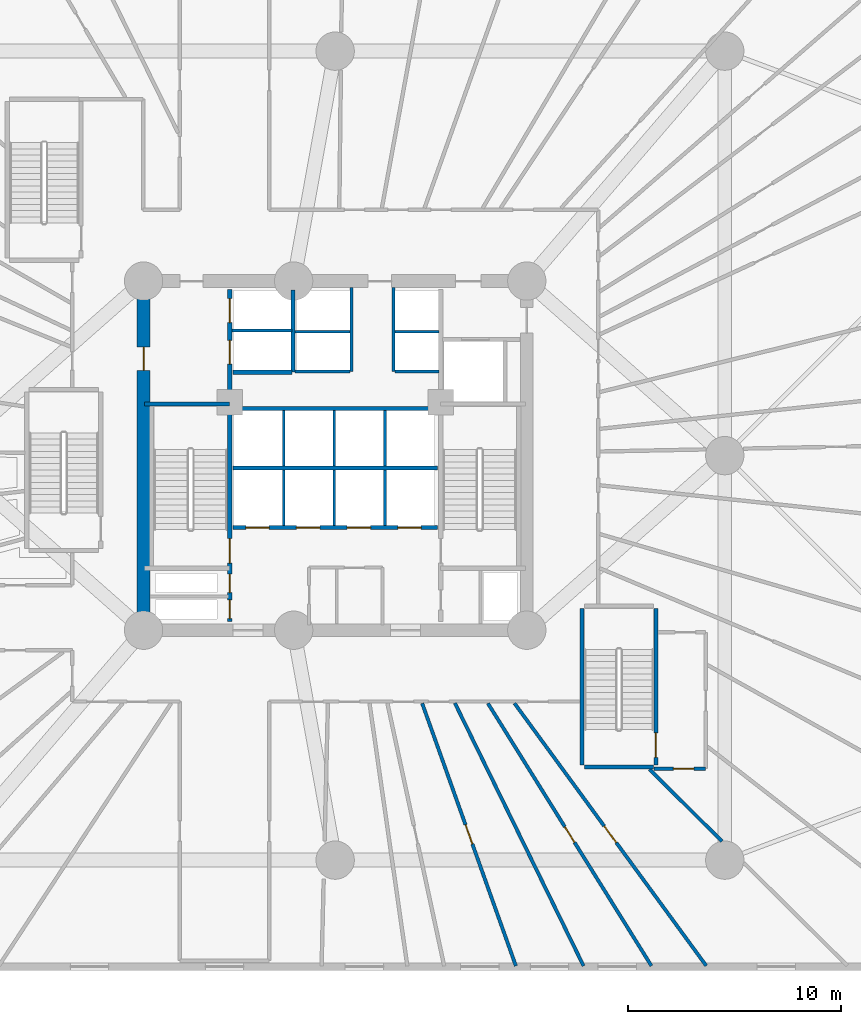
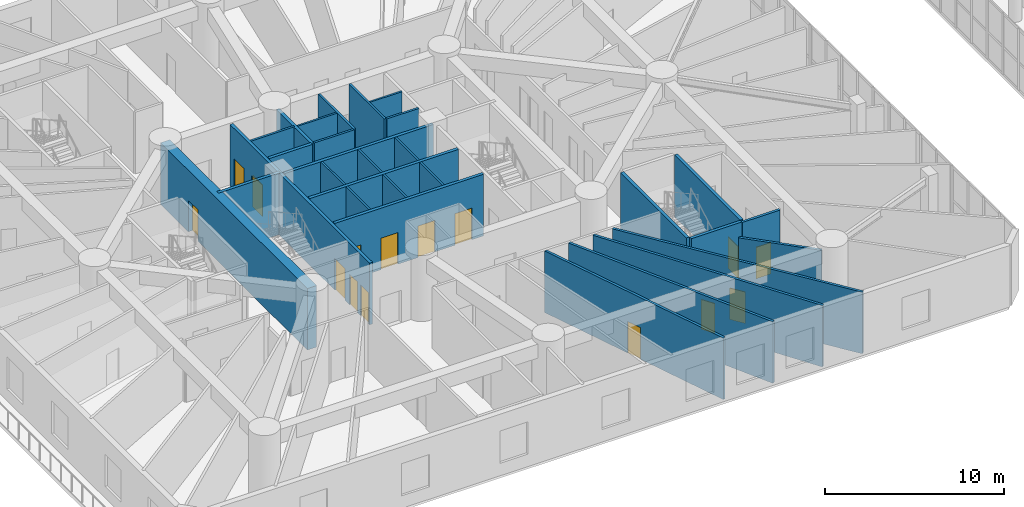
# One storey, part 15 of 26: 30 walls, 15 doors, 15 openings.
"""IFC4 building model written with IfcOpenShell, lengths in metres."""

from ifc_helpers import new_model, si_unit, direction, frame, frame_2d, origin, origin_with_axes, place, context, subcontext, project, spatial, rectangle, extrude, source, transform, mapped, material, layer, layer_set, type_object, element, fill, save


model = new_model("IFC4")

# Units and contexts
model_context = context("Model", 3, precision=1e-05, world=origin(), true_north=direction((0.0, 1.0)))
body_context = subcontext(model_context, "Body", "Model", "MODEL_VIEW")
ifc_project = project(units=[si_unit("LENGTHUNIT", "METRE"), si_unit("AREAUNIT", "SQUARE_METRE"), si_unit("VOLUMEUNIT", "CUBIC_METRE"), si_unit("PLANEANGLEUNIT", "RADIAN"), si_unit("MASSUNIT", "GRAM", prefix="KILO")], contexts=[model_context])

# Site, building, storey
site_placement = place(None, origin())
site = spatial("IfcSite", under=ifc_project, at=site_placement, CompositionType="ELEMENT")
building_placement = place(site_placement, origin())
building = spatial("IfcBuilding", under=site, at=building_placement, Name="Karkom Vertical University and Central Library", CompositionType="ELEMENT")
storey_placement = place(building_placement, frame((0.0, 0.0, 4.5)))
storey = spatial("IfcBuildingStorey", under=building, at=storey_placement, Name="L01", CompositionType="ELEMENT", Elevation=4.5)

# Wall, opening, door
ifc_material_1 = material(Name="Insulated metal-stud drywall 160mm", Category="gypsum")
ifc_layer_1 = layer(ifc_material_1, 0.159912109375)
ifc_layer_set_1 = layer_set([ifc_layer_1], Name="Insulated metal-stud drywall 160mm")
wall_type_1 = type_object("IfcWallType", Name="INT-WL-COR-160", PredefinedType="PARTITIONING", material=ifc_layer_set_1)
wall_1_placement = place(storey_placement, frame((36.922607421875, 14.867919921875, 0.0), z_axis=(0.0, 0.0, 1.0), x_axis=(0.589855025389, -0.80750916343, 0.0)))
wall_1 = element("IfcWall", 1, at=wall_1_placement, inside=storey, type_object=wall_type_1, Name="Level 01 Interior Partition Wall Level 01-PODW-15-16-1", PredefinedType="PARTITIONING", context=body_context, shape_type="SweptSolid", body=[
    extrude(rectangle(XDim=15.26953125, YDim=0.159912109375, at=frame_2d((7.634765625, 0.0))), origin(), (0.0, 0.0, 1.0), 4.199951171875),
])
opening_1_placement = place(wall_1_placement, frame((7.142333984375, 0.0, 0.0)))
opening_1 = element("IfcOpeningElement", 2, at=opening_1_placement, cuts=wall_1, Name="Opening FD-RM2", PredefinedType="OPENING", context=body_context, shape_type="SweptSolid", body=[
    extrude(rectangle(XDim=0.9599609375, YDim=2.14990234375, at=frame_2d((0.47998046875, 1.074951171875))), frame((0.0, 0.08984375, 0.0), z_axis=(0.0, -1.0, 0.0), x_axis=(1.0, 0.0, 0.0)), (0.0, 0.0, 1.0), 0.179931640625),
])
ifc_material_2 = material(Name="Fire-rated oak veneer door", Category="wood")
door_type_1 = type_object("IfcDoorType", Name="INT-DR-FRM2", OperationType="NOTDEFINED", PredefinedType="DOOR", material=ifc_material_2)
shared_shape_1 = source(origin_with_axes(), body_context, "Body", "SweptSolid", [
    extrude(rectangle(XDim=0.9599609375, YDim=2.14990234375, at=frame_2d((0.47998046875, 1.074951171875))), frame((0.0, 0.02490234375, 0.0), z_axis=(0.0, -1.0, 0.0), x_axis=(1.0, 0.0, 0.0)), (0.0, 0.0, 1.0), 0.050048828125),
])
door_1_placement = place(opening_1_placement, origin())
door_1 = element("IfcDoor", 3, at=door_1_placement, inside=storey, type_object=door_type_1, Name="Level 01 Room Entry Door 815", OperationType="SINGLE_SWING_RIGHT", OverallHeight=2.14990234375, OverallWidth=0.9599609375, PredefinedType="DOOR", context=body_context, shape_type="MappedRepresentation", body=[
    mapped(shared_shape_1, transform((0.0, 0.0, 0.0), scale=1.0)),
])
fill(opening_1, door_1)

wall_2_placement = place(storey_placement, frame((35.673583984375, 14.867919921875, 0.0), z_axis=(0.0, 0.0, 1.0), x_axis=(0.528650980247, -0.848839290492, 0.0)))
wall_2 = element("IfcWall", 4, at=wall_2_placement, inside=storey, type_object=wall_type_1, Name="Level 01 Interior Partition Wall Level 01-PODW-14-15-1", PredefinedType="PARTITIONING", context=body_context, shape_type="SweptSolid", body=[
    extrude(rectangle(XDim=14.529296875, YDim=0.159912109375, at=frame_2d((7.2646484375, 0.0))), origin(), (0.0, 0.0, 1.0), 4.199951171875),
])
opening_2_placement = place(wall_2_placement, frame((6.834716796875, 0.0, 0.0)))
opening_2 = element("IfcOpeningElement", 5, at=opening_2_placement, cuts=wall_2, Name="Opening FD-BTH2", PredefinedType="OPENING", context=body_context, shape_type="SweptSolid", body=[
    extrude(rectangle(XDim=0.860107421875, YDim=2.0400390625, at=frame_2d((0.43017578125, 1.02001953125))), frame((0.0, 0.08984375, 0.0), z_axis=(0.0, -1.0, 0.0), x_axis=(1.0, 0.0, 0.0)), (0.0, 0.0, 1.0), 0.179931640625),
])
ifc_material_3 = material(Name="Fire-rated moisture-resistant oak door", Category="wood")
door_type_2 = type_object("IfcDoorType", Name="INT-DR-FBTH2", OperationType="NOTDEFINED", PredefinedType="DOOR", material=ifc_material_3)
shared_shape_2 = source(origin_with_axes(), body_context, "Body", "SweptSolid", [
    extrude(rectangle(XDim=0.860107421875, YDim=2.0400390625, at=frame_2d((0.43017578125, 1.02001953125))), frame((0.0, 0.02490234375, 0.0), z_axis=(0.0, -1.0, 0.0), x_axis=(1.0, 0.0, 0.0)), (0.0, 0.0, 1.0), 0.050048828125),
])
door_2_placement = place(opening_2_placement, origin())
door_2 = element("IfcDoor", 6, at=door_2_placement, inside=storey, type_object=door_type_2, Name="Level 01 Faculty Meeting Room Entry Door", OperationType="SINGLE_SWING_RIGHT", OverallHeight=2.0400390625, OverallWidth=0.860107421875, PredefinedType="DOOR", context=body_context, shape_type="MappedRepresentation", body=[
    mapped(shared_shape_2, transform((0.0, 0.0, 0.0), scale=1.0)),
])
fill(opening_2, door_2)

# Wall
wall_3_placement = place(storey_placement, frame((34.12109375, 14.881591796875, 0.0), z_axis=(0.0, 0.0, 1.0), x_axis=(0.439712558425, -0.898138556105, 0.0)))
element("IfcWall", 7, at=wall_3_placement, inside=storey, type_object=wall_type_1, Name="Level 01 Interior Partition Wall Level 01-PODW-13-14-1", PredefinedType="PARTITIONING", context=body_context, shape_type="SweptSolid", body=[
    extrude(rectangle(XDim=13.750732421875, YDim=0.159912109375, at=frame_2d((6.87548828125, 0.0))), origin(), (0.0, 0.0, 1.0), 4.199951171875),
])

# Wall, opening, door
wall_4_placement = place(storey_placement, frame((32.586181640625, 14.867919921875, 0.0), z_axis=(0.0, 0.0, 1.0), x_axis=(0.336016454354, -0.941856115552, 0.0)))
wall_4 = element("IfcWall", 8, at=wall_4_placement, inside=storey, type_object=wall_type_1, Name="Level 01 Interior Partition Wall Level 01-PODW-12-13-1", PredefinedType="PARTITIONING", context=body_context, shape_type="SweptSolid", body=[
    extrude(rectangle(XDim=13.100830078125, YDim=0.159912109375, at=frame_2d((6.55029296875, 0.0))), origin(), (0.0, 0.0, 1.0), 4.199951171875),
])
opening_3_placement = place(wall_4_placement, frame((6.05810546875, 0.0, 0.0)))
opening_3 = element("IfcOpeningElement", 9, at=opening_3_placement, cuts=wall_4, Name="Opening FD-RM2", PredefinedType="OPENING", context=body_context, shape_type="SweptSolid", body=[
    extrude(rectangle(XDim=0.9599609375, YDim=2.14990234375, at=frame_2d((0.47998046875, 1.074951171875))), frame((0.0, 0.08984375, 0.0), z_axis=(0.0, -1.0, 0.0), x_axis=(1.0, 0.0, 0.0)), (0.0, 0.0, 1.0), 0.179931640625),
])
door_3_placement = place(opening_3_placement, origin())
door_3 = element("IfcDoor", 10, at=door_3_placement, inside=storey, type_object=door_type_1, Name="Level 01 Room Entry Door 812", OperationType="SINGLE_SWING_LEFT", OverallHeight=2.14990234375, OverallWidth=0.9599609375, PredefinedType="DOOR", context=body_context, shape_type="MappedRepresentation", body=[
    mapped(shared_shape_1, transform((0.0, 0.0, 0.0), scale=1.0)),
])
fill(opening_3, door_3)

# Wall
wall_5_placement = place(storey_placement, frame((43.256591796875, 11.77294921875, 0.0), z_axis=(0.0, 0.0, 1.0), x_axis=(0.709846294383, -0.704356613052, 0.0)))
element("IfcWall", 11, at=wall_5_placement, inside=storey, type_object=wall_type_1, Name="Level 01 Interior Partition Wall Level 01-PODW-16-17-1", PredefinedType="PARTITIONING", context=body_context, shape_type="SweptSolid", body=[
    extrude(rectangle(XDim=4.802978515625, YDim=0.159912109375, at=frame_2d((2.4013671875, 0.0))), origin(), (0.0, 0.0, 1.0), 3.25),
])

# Wall, opening, door
wall_6_placement = place(storey_placement, frame((45.89990234375, 11.800048828125, 0.0), z_axis=(0.0, 0.0, 1.0), x_axis=(-1.0, 0.0, 0.0)))
wall_6 = element("IfcWall", 12, at=wall_6_placement, inside=storey, type_object=wall_type_1, Name="Level 01 Interior Partition Wall Level 01-PDCW-CW-020", PredefinedType="PARTITIONING", context=body_context, shape_type="SweptSolid", body=[
    extrude(rectangle(XDim=2.434814453125, YDim=0.159912109375, at=frame_2d((1.21728515625, 0.0))), origin(), (0.0, 0.0, 1.0), 4.199951171875),
])
opening_4_placement = place(wall_6_placement, frame((0.554931640625, 0.0, 0.0)))
opening_4 = element("IfcOpeningElement", 13, at=opening_4_placement, cuts=wall_6, Name="Opening FD-RM2", PredefinedType="OPENING", context=body_context, shape_type="SweptSolid", body=[
    extrude(rectangle(XDim=0.9599609375, YDim=2.14990234375, at=frame_2d((0.47998046875, 1.074951171875))), frame((0.0, 0.08984375, 0.0), z_axis=(0.0, -1.0, 0.0), x_axis=(1.0, 0.0, 0.0)), (0.0, 0.0, 1.0), 0.179931640625),
])
door_4_placement = place(opening_4_placement, origin())
door_4 = element("IfcDoor", 14, at=door_4_placement, inside=storey, type_object=door_type_1, Name="Level 01 Room Entry Door 816", OperationType="SINGLE_SWING_LEFT", OverallHeight=2.14990234375, OverallWidth=0.9599609375, PredefinedType="DOOR", context=body_context, shape_type="MappedRepresentation", body=[
    mapped(shared_shape_1, transform((0.0, 0.0, 0.0), scale=1.0)),
])
fill(opening_4, door_4)

# Walls
ifc_material_4 = material(Name="Moisture-resistant drywall 120mm", Category="gypsum")
ifc_layer_2 = layer(ifc_material_4, 0.1201171875)
ifc_layer_set_2 = layer_set([ifc_layer_2], Name="Moisture-resistant drywall 120mm")
wall_type_2 = type_object("IfcWallType", Name="INT-WL-INT-120H", PredefinedType="PARTITIONING", material=ifc_layer_set_2)
for number, where, z_axis, x_axis, name in (
    (15, (26.080078125, 23.219970703125, 0.0), (0.0, 0.0, 1.0), (0.0, 1.0, 0.0), "Level 01 Interior Partition Wall Level 01-CW-PL-DIV1"),
    (16, (28.4599609375, 23.219970703125, 0.0), (0.0, 0.0, 1.0), (0.0, 1.0, 0.0), "Level 01 Interior Partition Wall Level 01-CW-PL-DIV2"),
    (17, (30.840087890625, 23.219970703125, 0.0), (0.0, 0.0, 1.0), (0.0, 1.0, 0.0), "Level 01 Interior Partition Wall Level 01-CW-PL-DIV3"),
    (18, (26.080078125, 26.02001953125, 0.0), (0.0, 0.0, 1.0), (0.0, 1.0, 0.0), "Level 01 Interior Partition Wall Level 01-CW-PM-DIV1"),
    (19, (28.4599609375, 26.02001953125, 0.0), (0.0, 0.0, 1.0), (0.0, 1.0, 0.0), "Level 01 Interior Partition Wall Level 01-CW-PM-DIV2"),
    (20, (30.840087890625, 26.02001953125, 0.0), (0.0, 0.0, 1.0), (0.0, 1.0, 0.0), "Level 01 Interior Partition Wall Level 01-CW-PM-DIV3"),
):
    element("IfcWall", number, at=place(storey_placement, frame(where, z_axis=z_axis, x_axis=x_axis)), inside=storey, type_object=wall_type_2, Name=name, PredefinedType="PARTITIONING", context=body_context, shape_type="SweptSolid", body=[
        extrude(rectangle(XDim=2.60009765625, YDim=0.1201171875, at=frame_2d((1.300048828125, 0.0))), origin(), (0.0, 0.0, 1.0), 4.199951171875),
    ])
wall_7_placement = place(storey_placement, frame((26.6201171875, 32.320068359375, 0.0), z_axis=(0.0, 0.0, 1.0), x_axis=(1.0, 0.0, 0.0)))
element("IfcWall", 21, at=wall_7_placement, inside=storey, type_object=wall_type_2, Name="Level 01 Interior Partition Wall Level 01-CW-PH-MW", PredefinedType="PARTITIONING", context=body_context, shape_type="SweptSolid", body=[
    extrude(rectangle(XDim=2.579833984375, YDim=0.1201171875, at=frame_2d((1.2900390625, 0.0))), origin(), (0.0, 0.0, 1.0), 4.199951171875),
])
wall_8_placement = place(storey_placement, frame((31.300048828125, 32.320068359375, 0.0), z_axis=(0.0, 0.0, 1.0), x_axis=(1.0, 0.0, 0.0)))
element("IfcWall", 22, at=wall_8_placement, inside=storey, type_object=wall_type_2, Name="Level 01 Interior Partition Wall Level 01-CW-PH-ME", PredefinedType="PARTITIONING", context=body_context, shape_type="SweptSolid", body=[
    extrude(rectangle(XDim=2.074951171875, YDim=0.1201171875, at=frame_2d((1.03759765625, 0.0))), origin(), (0.0, 0.0, 1.0), 4.199951171875),
])
ifc_material_5 = material(Name="Metal-stud gypsum partition 140mm", Category="gypsum")
ifc_layer_3 = layer(ifc_material_5, 0.139892578125)
ifc_layer_set_3 = layer_set([ifc_layer_3], Name="Metal-stud gypsum partition 140mm")
wall_type_3 = type_object("IfcWallType", Name="INT-WL-SUB-140H", PredefinedType="PARTITIONING", material=ifc_layer_set_3)
for number, where, z_axis, x_axis, name in (
    (23, (29.260009765625, 30.449951171875, 0.0), (0.0, 0.0, 1.0), (0.0, 1.0, 0.0), "Level 01 Interior Partition Wall Level 01-CW-PH-W"),
    (24, (31.239990234375, 30.449951171875, 0.0), (0.0, 0.0, 1.0), (0.0, 1.0, 0.0), "Level 01 Interior Partition Wall Level 01-CW-PH-E"),
):
    element("IfcWall", number, at=place(storey_placement, frame(where, z_axis=z_axis, x_axis=x_axis)), inside=storey, type_object=wall_type_3, Name=name, PredefinedType="PARTITIONING", context=body_context, shape_type="SweptSolid", body=[
        extrude(rectangle(XDim=3.943115234375, YDim=0.139892578125, at=frame_2d((1.9716796875, 0.0))), origin(), (0.0, 0.0, 1.0), 4.199951171875),
    ])
wall_9_placement = place(storey_placement, frame((26.6201171875, 30.449951171875, 0.0), z_axis=(0.0, 0.0, 1.0), x_axis=(1.0, 0.0, 0.0)))
element("IfcWall", 25, at=wall_9_placement, inside=storey, type_object=wall_type_3, Name="Level 01 Interior Partition Wall Level 01-CW-PH-S1", PredefinedType="PARTITIONING", context=body_context, shape_type="SweptSolid", body=[
    extrude(rectangle(XDim=2.579833984375, YDim=0.139892578125, at=frame_2d((1.2900390625, 0.0))), origin(), (0.0, 0.0, 1.0), 4.199951171875),
])
wall_10_placement = place(storey_placement, frame((31.300048828125, 30.449951171875, 0.0), z_axis=(0.0, 0.0, 1.0), x_axis=(1.0, 0.0, 0.0)))
element("IfcWall", 26, at=wall_10_placement, inside=storey, type_object=wall_type_3, Name="Level 01 Interior Partition Wall Level 01-CW-PH-S2", PredefinedType="PARTITIONING", context=body_context, shape_type="SweptSolid", body=[
    extrude(rectangle(XDim=2.074951171875, YDim=0.139892578125, at=frame_2d((1.03759765625, 0.0))), origin(), (0.0, 0.0, 1.0), 4.199951171875),
])
ifc_layer_4 = layer(ifc_material_5, 0.139892578125)
ifc_layer_set_4 = layer_set([ifc_layer_4], Name="Metal-stud gypsum partition 140mm")
wall_type_4 = type_object("IfcWallType", Name="INT-WL-SUB-140X", PredefinedType="PARTITIONING", material=ifc_layer_set_4)
wall_11_placement = place(storey_placement, frame((23.652099609375, 32.3701171875, 0.0), z_axis=(0.0, 0.0, 1.0), x_axis=(1.0, 0.0, 0.0)))
element("IfcWall", 27, at=wall_11_placement, inside=storey, type_object=wall_type_4, Name="Level 01 Interior Partition Wall Level 01-CW-FFL-M", PredefinedType="PARTITIONING", context=body_context, shape_type="SweptSolid", body=[
    extrude(rectangle(XDim=2.827880859375, YDim=0.139892578125, at=frame_2d((1.4140625, 0.0))), origin(), (0.0, 0.0, 1.0), 4.199951171875),
])

# Wall, opening, door
ifc_material_6 = material(Name="Concrete C50/60", Category="concrete")
ifc_layer_5 = layer(ifc_material_6, 0.60009765625)
ifc_layer_set_5 = layer_set([ifc_layer_5], Name="Concrete C50/60")
wall_type_5 = type_object("IfcWallType", Name="STR-WL-CW-600", PredefinedType="SHEAR", material=ifc_layer_set_5)
wall_12_placement = place(storey_placement, frame((19.5, 34.699951171875, 0.0), z_axis=(0.0, 0.0, 1.0), x_axis=(0.0, -1.0, 0.0)))
wall_12 = element("IfcWall", 28, at=wall_12_placement, inside=storey, type_object=wall_type_5, Name="Level 01 Central Core Shear Wall WW", PredefinedType="SHEAR", context=body_context, shape_type="SweptSolid", body=[
    extrude(rectangle(XDim=16.39990234375, YDim=0.60009765625, at=frame_2d((8.199951171875, 0.0))), origin(), (0.0, 0.0, 1.0), 4.199951171875),
])
opening_5_placement = place(wall_12_placement, frame((3.10009765625, 0.0, 0.0)))
opening_5 = element("IfcOpeningElement", 29, at=opening_5_placement, cuts=wall_12, Name="Opening FD-FFL", PredefinedType="OPENING", context=body_context, shape_type="SweptSolid", body=[
    extrude(rectangle(XDim=1.10009765625, YDim=2.14990234375, at=frame_2d((0.550048828125, 1.074951171875))), frame((0.0, 0.31005859375, 0.0), z_axis=(0.0, -1.0, 0.0), x_axis=(1.0, 0.0, 0.0)), (0.0, 0.0, 1.0), 0.6201171875),
])
ifc_material_7 = material(Name="Painted steel smoke-seal fire door", Category="steel")
door_type_3 = type_object("IfcDoorType", Name="INT-DR-FFL", OperationType="NOTDEFINED", PredefinedType="DOOR", material=ifc_material_7)
shared_shape_3 = source(origin_with_axes(), body_context, "Body", "SweptSolid", [
    extrude(rectangle(XDim=1.10009765625, YDim=2.14990234375, at=frame_2d((0.550048828125, 1.074951171875))), frame((0.0, 0.02490234375, 0.0), z_axis=(0.0, -1.0, 0.0), x_axis=(1.0, 0.0, 0.0)), (0.0, 0.0, 1.0), 0.050048828125),
])
door_5_placement = place(opening_5_placement, origin())
door_5 = element("IfcDoor", 30, at=door_5_placement, inside=storey, type_object=door_type_3, Name="Level 01 West Corridor Firefighting Lobby Door", OperationType="SINGLE_SWING_LEFT", OverallHeight=2.14990234375, OverallWidth=1.10009765625, PredefinedType="DOOR", context=body_context, shape_type="MappedRepresentation", body=[
    mapped(shared_shape_3, transform((0.0, 0.0, 0.0), scale=1.0)),
])
fill(opening_5, door_5)

# Wall, openings, doors
ifc_material_8 = material(Name="Concrete C45/55", Category="concrete")
ifc_layer_6 = layer(ifc_material_8, 0.199951171875)
ifc_layer_set_6 = layer_set([ifc_layer_6], Name="Concrete C45/55")
wall_type_6 = type_object("IfcWallType", Name="STR-WL-ST-200", PredefinedType="SHEAR", material=ifc_layer_set_6)
wall_13_placement = place(storey_placement, frame((23.544921875, 18.699951171875, 0.0), z_axis=(0.0, 0.0, 1.0), x_axis=(0.0, 1.0, 0.0)))
wall_13 = element("IfcWall", 31, at=wall_13_placement, inside=storey, type_object=wall_type_6, Name="Level 01 Core Shaft Wall Level 01-CW-ST1-E", PredefinedType="SHEAR", context=body_context, shape_type="SweptSolid", body=[
    extrude(rectangle(XDim=15.60009765625, YDim=0.199951171875, at=frame_2d((7.800048828125, 0.0))), origin(), (0.0, 0.0, 1.0), 4.199951171875),
])
opening_6_placement = place(wall_13_placement, frame((2.75, 0.0, 0.0)))
opening_6 = element("IfcOpeningElement", 32, at=opening_6_placement, cuts=wall_13, Name="Opening FD-ST1", PredefinedType="OPENING", context=body_context, shape_type="SweptSolid", body=[
    extrude(rectangle(XDim=1.14990234375, YDim=2.14990234375, at=frame_2d((0.574951171875, 1.074951171875))), frame((0.0, 0.10986328125, 0.0), z_axis=(0.0, -1.0, 0.0), x_axis=(1.0, 0.0, 0.0)), (0.0, 0.0, 1.0), 0.219970703125),
])
opening_7_placement = place(wall_13_placement, frame((0.139892578125, 0.0, 0.0)))
opening_7 = element("IfcOpeningElement", 33, at=opening_7_placement, cuts=wall_13, Name="Opening FD-RIS", PredefinedType="OPENING", context=body_context, shape_type="SweptSolid", body=[
    extrude(rectangle(XDim=0.8798828125, YDim=2.10009765625, at=frame_2d((0.43994140625, 1.050048828125))), frame((0.0, 0.10986328125, 0.0), z_axis=(0.0, -1.0, 0.0), x_axis=(1.0, 0.0, 0.0)), (0.0, 0.0, 1.0), 0.219970703125),
])
opening_8_placement = place(wall_13_placement, frame((1.360107421875, 0.0, 0.0)))
opening_8 = element("IfcOpeningElement", 34, at=opening_8_placement, cuts=wall_13, Name="Opening FD-RIS", PredefinedType="OPENING", context=body_context, shape_type="SweptSolid", body=[
    extrude(rectangle(XDim=0.8798828125, YDim=2.10009765625, at=frame_2d((0.43994140625, 1.050048828125))), frame((0.0, 0.10986328125, 0.0), z_axis=(0.0, -1.0, 0.0), x_axis=(1.0, 0.0, 0.0)), (0.0, 0.0, 1.0), 0.219970703125),
])
opening_9_placement = place(wall_13_placement, frame((12.10009765625, 0.0, 0.0)))
opening_9 = element("IfcOpeningElement", 35, at=opening_9_placement, cuts=wall_13, Name="Opening LD-FFL", PredefinedType="OPENING", context=body_context, shape_type="SweptSolid", body=[
    extrude(rectangle(XDim=1.1201171875, YDim=2.14990234375, at=frame_2d((0.56005859375, 1.074951171875))), frame((0.0, 0.10986328125, 0.0), z_axis=(0.0, -1.0, 0.0), x_axis=(1.0, 0.0, 0.0)), (0.0, 0.0, 1.0), 0.219970703125),
])
opening_10_placement = place(wall_13_placement, frame((14.050048828125, 0.0, 0.0)))
opening_10 = element("IfcOpeningElement", 36, at=opening_10_placement, cuts=wall_13, Name="Opening LD-FFL", PredefinedType="OPENING", context=body_context, shape_type="SweptSolid", body=[
    extrude(rectangle(XDim=1.1201171875, YDim=2.14990234375, at=frame_2d((0.56005859375, 1.074951171875))), frame((0.0, 0.10986328125, 0.0), z_axis=(0.0, -1.0, 0.0), x_axis=(1.0, 0.0, 0.0)), (0.0, 0.0, 1.0), 0.219970703125),
])
ifc_material_9 = material(Name="Painted steel acoustic fire door", Category="steel")
door_type_4 = type_object("IfcDoorType", Name="INT-DR-ST1", OperationType="NOTDEFINED", PredefinedType="DOOR", material=ifc_material_9)
shared_shape_4 = source(origin_with_axes(), body_context, "Body", "SweptSolid", [
    extrude(rectangle(XDim=1.14990234375, YDim=2.14990234375, at=frame_2d((0.574951171875, 1.074951171875))), frame((0.0, 0.02490234375, 0.0), z_axis=(0.0, -1.0, 0.0), x_axis=(1.0, 0.0, 0.0)), (0.0, 0.0, 1.0), 0.050048828125),
])
door_6_placement = place(opening_6_placement, origin())
door_6 = element("IfcDoor", 37, at=door_6_placement, inside=storey, type_object=door_type_4, Name="Level 01 Stair ST-1 Fire Door", OperationType="SINGLE_SWING_RIGHT", OverallHeight=2.14990234375, OverallWidth=1.14990234375, PredefinedType="DOOR", context=body_context, shape_type="MappedRepresentation", body=[
    mapped(shared_shape_4, transform((0.0, 0.0, 0.0), scale=1.0)),
])
fill(opening_6, door_6)
ifc_material_10 = material(Name="Painted steel riser access door", Category="steel")
door_type_5 = type_object("IfcDoorType", Name="INT-DR-RIS", OperationType="NOTDEFINED", PredefinedType="DOOR", material=ifc_material_10)
shared_shape_5 = source(origin_with_axes(), body_context, "Body", "SweptSolid", [
    extrude(rectangle(XDim=0.8798828125, YDim=2.10009765625, at=frame_2d((0.43994140625, 1.050048828125))), frame((0.0, 0.02490234375, 0.0), z_axis=(0.0, -1.0, 0.0), x_axis=(1.0, 0.0, 0.0)), (0.0, 0.0, 1.0), 0.050048828125),
])
door_7_placement = place(opening_7_placement, origin())
door_7 = element("IfcDoor", 38, at=door_7_placement, inside=storey, type_object=door_type_5, Name="Level 01 Electrical Riser Access Door", OperationType="SINGLE_SWING_RIGHT", OverallHeight=2.10009765625, OverallWidth=0.8798828125, PredefinedType="DOOR", context=body_context, shape_type="MappedRepresentation", body=[
    mapped(shared_shape_5, transform((0.0, 0.0, 0.0), scale=1.0)),
])
fill(opening_7, door_7)
door_8_placement = place(opening_8_placement, origin())
door_8 = element("IfcDoor", 39, at=door_8_placement, inside=storey, type_object=door_type_5, Name="Level 01 Telecom Riser Access Door", OperationType="SINGLE_SWING_LEFT", OverallHeight=2.10009765625, OverallWidth=0.8798828125, PredefinedType="DOOR", context=body_context, shape_type="MappedRepresentation", body=[
    mapped(shared_shape_5, transform((0.0, 0.0, 0.0), scale=1.0)),
])
fill(opening_8, door_8)
ifc_material_11 = material(Name="Fire-rated stainless-steel landing door", Category="steel")
door_type_6 = type_object("IfcDoorType", Name="INT-DR-LD-FFL", OperationType="SLIDING_TO_LEFT", PredefinedType="DOOR", material=ifc_material_11)
shared_shape_6 = source(origin_with_axes(), body_context, "Body", "SweptSolid", [
    extrude(rectangle(XDim=1.1201171875, YDim=2.14990234375, at=frame_2d((0.56005859375, 1.074951171875))), frame((0.0, 0.02490234375, 0.0), z_axis=(0.0, -1.0, 0.0), x_axis=(1.0, 0.0, 0.0)), (0.0, 0.0, 1.0), 0.050048828125),
])
door_9_placement = place(opening_9_placement, origin())
door_9 = element("IfcDoor", 40, at=door_9_placement, inside=storey, type_object=door_type_6, Name="Level 01 Firefighting Lift FFL-1 Landing Door", OperationType="SLIDING_TO_LEFT", OverallHeight=2.14990234375, OverallWidth=1.1201171875, PredefinedType="DOOR", context=body_context, shape_type="MappedRepresentation", body=[
    mapped(shared_shape_6, transform((0.0, 0.0, 0.0), scale=1.0)),
])
fill(opening_9, door_9)
door_10_placement = place(opening_10_placement, origin())
door_10 = element("IfcDoor", 41, at=door_10_placement, inside=storey, type_object=door_type_6, Name="Level 01 Firefighting Lift FFL-2 Landing Door", OperationType="SLIDING_TO_RIGHT", OverallHeight=2.14990234375, OverallWidth=1.1201171875, PredefinedType="DOOR", context=body_context, shape_type="MappedRepresentation", body=[
    mapped(shared_shape_6, transform((0.0, 0.0, 0.0), scale=1.0)),
])
fill(opening_10, door_10)

wall_14_placement = place(storey_placement, frame((23.699951171875, 23.1201171875, 0.0), z_axis=(0.0, 0.0, 1.0), x_axis=(1.0, 0.0, 0.0)))
wall_14 = element("IfcWall", 42, at=wall_14_placement, inside=storey, type_object=wall_type_6, Name="Level 01 Core Shaft Wall Level 01-CW-B1-S", PredefinedType="SHEAR", context=body_context, shape_type="SweptSolid", body=[
    extrude(rectangle(XDim=9.60009765625, YDim=0.199951171875, at=frame_2d((4.800048828125, 0.0))), origin(), (0.0, 0.0, 1.0), 4.199951171875),
])
opening_11_placement = place(wall_14_placement, frame((0.60009765625, 0.0, 0.0)))
opening_11 = element("IfcOpeningElement", 43, at=opening_11_placement, cuts=wall_14, Name="Opening LD-PAX", PredefinedType="OPENING", context=body_context, shape_type="SweptSolid", body=[
    extrude(rectangle(XDim=1.10009765625, YDim=2.14990234375, at=frame_2d((0.550048828125, 1.074951171875))), frame((0.0, 0.10986328125, 0.0), z_axis=(0.0, -1.0, 0.0), x_axis=(1.0, 0.0, 0.0)), (0.0, 0.0, 1.0), 0.219970703125),
])
opening_12_placement = place(wall_14_placement, frame((2.97998046875, 0.0, 0.0)))
opening_12 = element("IfcOpeningElement", 44, at=opening_12_placement, cuts=wall_14, Name="Opening LD-PAX", PredefinedType="OPENING", context=body_context, shape_type="SweptSolid", body=[
    extrude(rectangle(XDim=1.10009765625, YDim=2.14990234375, at=frame_2d((0.550048828125, 1.074951171875))), frame((0.0, 0.10986328125, 0.0), z_axis=(0.0, -1.0, 0.0), x_axis=(1.0, 0.0, 0.0)), (0.0, 0.0, 1.0), 0.219970703125),
])
opening_13_placement = place(wall_14_placement, frame((5.360107421875, 0.0, 0.0)))
opening_13 = element("IfcOpeningElement", 45, at=opening_13_placement, cuts=wall_14, Name="Opening LD-PAX", PredefinedType="OPENING", context=body_context, shape_type="SweptSolid", body=[
    extrude(rectangle(XDim=1.10009765625, YDim=2.14990234375, at=frame_2d((0.550048828125, 1.074951171875))), frame((0.0, 0.10986328125, 0.0), z_axis=(0.0, -1.0, 0.0), x_axis=(1.0, 0.0, 0.0)), (0.0, 0.0, 1.0), 0.219970703125),
])
opening_14_placement = place(wall_14_placement, frame((7.739990234375, 0.0, 0.0)))
opening_14 = element("IfcOpeningElement", 46, at=opening_14_placement, cuts=wall_14, Name="Opening LD-PAX", PredefinedType="OPENING", context=body_context, shape_type="SweptSolid", body=[
    extrude(rectangle(XDim=1.10009765625, YDim=2.14990234375, at=frame_2d((0.550048828125, 1.074951171875))), frame((0.0, 0.10986328125, 0.0), z_axis=(0.0, -1.0, 0.0), x_axis=(1.0, 0.0, 0.0)), (0.0, 0.0, 1.0), 0.219970703125),
])
ifc_material_12 = material(Name="Brushed stainless-steel landing door", Category="steel")
door_type_7 = type_object("IfcDoorType", Name="INT-DR-LD-PAX", OperationType="SLIDING_TO_LEFT", PredefinedType="DOOR", material=ifc_material_12)
door_11_placement = place(opening_11_placement, origin())
door_11 = element("IfcDoor", 47, at=door_11_placement, inside=storey, type_object=door_type_7, Name="Level 01 Lift PL-1 Landing Door", OperationType="SLIDING_TO_LEFT", OverallHeight=2.14990234375, OverallWidth=1.10009765625, PredefinedType="DOOR", context=body_context, shape_type="MappedRepresentation", body=[
    mapped(shared_shape_3, transform((0.0, 0.0, 0.0), scale=1.0)),
])
fill(opening_11, door_11)
door_12_placement = place(opening_12_placement, origin())
door_12 = element("IfcDoor", 48, at=door_12_placement, inside=storey, type_object=door_type_7, Name="Level 01 Lift PL-2 Landing Door", OperationType="SLIDING_TO_RIGHT", OverallHeight=2.14990234375, OverallWidth=1.10009765625, PredefinedType="DOOR", context=body_context, shape_type="MappedRepresentation", body=[
    mapped(shared_shape_3, transform((0.0, 0.0, 0.0), scale=1.0)),
])
fill(opening_12, door_12)
door_13_placement = place(opening_13_placement, origin())
door_13 = element("IfcDoor", 49, at=door_13_placement, inside=storey, type_object=door_type_7, Name="Level 01 Lift PL-3 Landing Door", OperationType="SLIDING_TO_LEFT", OverallHeight=2.14990234375, OverallWidth=1.10009765625, PredefinedType="DOOR", context=body_context, shape_type="MappedRepresentation", body=[
    mapped(shared_shape_3, transform((0.0, 0.0, 0.0), scale=1.0)),
])
fill(opening_13, door_13)
door_14_placement = place(opening_14_placement, origin())
door_14 = element("IfcDoor", 50, at=door_14_placement, inside=storey, type_object=door_type_7, Name="Level 01 Lift PL-4 Landing Door", OperationType="SLIDING_TO_RIGHT", OverallHeight=2.14990234375, OverallWidth=1.10009765625, PredefinedType="DOOR", context=body_context, shape_type="MappedRepresentation", body=[
    mapped(shared_shape_3, transform((0.0, 0.0, 0.0), scale=1.0)),
])
fill(opening_14, door_14)

# Walls
for number, where, z_axis, x_axis, name in (
    (51, (23.699951171875, 25.919921875, 0.0), (0.0, 0.0, 1.0), (1.0, 0.0, 0.0), "Level 01 Core Shaft Wall Level 01-CW-B1-N"),
    (52, (23.699951171875, 28.719970703125, 0.0), (0.0, 0.0, 1.0), (1.0, 0.0, 0.0), "Level 01 Core Shaft Wall Level 01-CW-B2-N"),
):
    element("IfcWall", number, at=place(storey_placement, frame(where, z_axis=z_axis, x_axis=x_axis)), inside=storey, type_object=wall_type_6, Name=name, PredefinedType="SHEAR", context=body_context, shape_type="SweptSolid", body=[
        extrude(rectangle(XDim=9.60009765625, YDim=0.199951171875, at=frame_2d((4.800048828125, 0.0))), origin(), (0.0, 0.0, 1.0), 4.199951171875),
    ])
wall_15_placement = place(storey_placement, frame((40.094970703125, 11.97998046875, 0.0), z_axis=(0.0, 0.0, 1.0), x_axis=(0.0, 1.0, 0.0)))
element("IfcWall", 53, at=wall_15_placement, inside=storey, type_object=wall_type_6, Name="Level 01 Core Shaft Wall Level 01-W-POD1-W", PredefinedType="SHEAR", context=body_context, shape_type="SweptSolid", body=[
    extrude(rectangle(XDim=7.35009765625, YDim=0.199951171875, at=frame_2d((3.675048828125, 0.0))), origin(), (0.0, 0.0, 1.0), 4.199951171875),
])

# Wall, opening, door
wall_16_placement = place(storey_placement, frame((43.56494140625, 11.97998046875, 0.0), z_axis=(0.0, 0.0, 1.0), x_axis=(0.0, 1.0, 0.0)))
wall_16 = element("IfcWall", 54, at=wall_16_placement, inside=storey, type_object=wall_type_6, Name="Level 01 Core Shaft Wall Level 01-W-POD1-E", PredefinedType="SHEAR", context=body_context, shape_type="SweptSolid", body=[
    extrude(rectangle(XDim=7.35009765625, YDim=0.199951171875, at=frame_2d((3.675048828125, 0.0))), origin(), (0.0, 0.0, 1.0), 4.199951171875),
])
opening_15_placement = place(wall_16_placement, frame((0.35009765625, 0.0, 0.0)))
opening_15 = element("IfcOpeningElement", 55, at=opening_15_placement, cuts=wall_16, Name="Opening FD-ST1", PredefinedType="OPENING", context=body_context, shape_type="SweptSolid", body=[
    extrude(rectangle(XDim=1.14990234375, YDim=2.14990234375, at=frame_2d((0.574951171875, 1.074951171875))), frame((0.0, 0.10986328125, 0.0), z_axis=(0.0, -1.0, 0.0), x_axis=(1.0, 0.0, 0.0)), (0.0, 0.0, 1.0), 0.219970703125),
])
door_15_placement = place(opening_15_placement, origin())
door_15 = element("IfcDoor", 56, at=door_15_placement, inside=storey, type_object=door_type_4, Name="Level 01 POD1 Stair Door", OperationType="SINGLE_SWING_LEFT", OverallHeight=2.14990234375, OverallWidth=1.14990234375, PredefinedType="DOOR", context=body_context, shape_type="MappedRepresentation", body=[
    mapped(shared_shape_4, transform((0.0, 0.0, 0.0), scale=1.0)),
])
fill(opening_15, door_15)

# Walls
wall_17_placement = place(storey_placement, frame((19.550048828125, 28.925048828125, 0.0), z_axis=(0.0, 0.0, 1.0), x_axis=(1.0, 0.0, 0.0)))
element("IfcWall", 57, at=wall_17_placement, inside=storey, type_object=wall_type_6, Name="Level 01 Core Shaft Wall Level 01-CW-ST1-N", PredefinedType="SHEAR", context=body_context, shape_type="SweptSolid", body=[
    extrude(rectangle(XDim=3.994873046875, YDim=0.199951171875, at=frame_2d((1.99755859375, 0.0))), origin(), (0.0, 0.0, 1.0), 4.199951171875),
])
wall_18_placement = place(storey_placement, frame((26.52001953125, 30.419921875, 0.0), z_axis=(0.0, 0.0, 1.0), x_axis=(0.0, 1.0, 0.0)))
element("IfcWall", 58, at=wall_18_placement, inside=storey, type_object=wall_type_6, Name="Level 01 Core Shaft Wall Level 01-CW-FFL-E", PredefinedType="SHEAR", context=body_context, shape_type="SweptSolid", body=[
    extrude(rectangle(XDim=3.860107421875, YDim=0.199951171875, at=frame_2d((1.93017578125, 0.0))), origin(), (0.0, 0.0, 1.0), 4.199951171875),
])
wall_19_placement = place(storey_placement, frame((40.199951171875, 11.875, 0.0), z_axis=(0.0, 0.0, 1.0), x_axis=(1.0, 0.0, 0.0)))
element("IfcWall", 59, at=wall_19_placement, inside=storey, type_object=wall_type_6, Name="Level 01 Core Shaft Wall Level 01-W-POD1-S", PredefinedType="SHEAR", context=body_context, shape_type="SweptSolid", body=[
    extrude(rectangle(XDim=3.260009765625, YDim=0.199951171875, at=frame_2d((1.6298828125, 0.0))), origin(), (0.0, 0.0, 1.0), 4.199951171875),
])
wall_20_placement = place(storey_placement, frame((23.699951171875, 30.419921875, 0.0), z_axis=(0.0, 0.0, 1.0), x_axis=(1.0, 0.0, 0.0)))
element("IfcWall", 60, at=wall_20_placement, inside=storey, type_object=wall_type_6, Name="Level 01 Core Shaft Wall Level 01-CW-FFL-S", PredefinedType="SHEAR", context=body_context, shape_type="SweptSolid", body=[
    extrude(rectangle(XDim=2.780029296875, YDim=0.199951171875, at=frame_2d((1.39013671875, 0.0))), origin(), (0.0, 0.0, 1.0), 4.199951171875),
])

save(model, "model.ifc")
